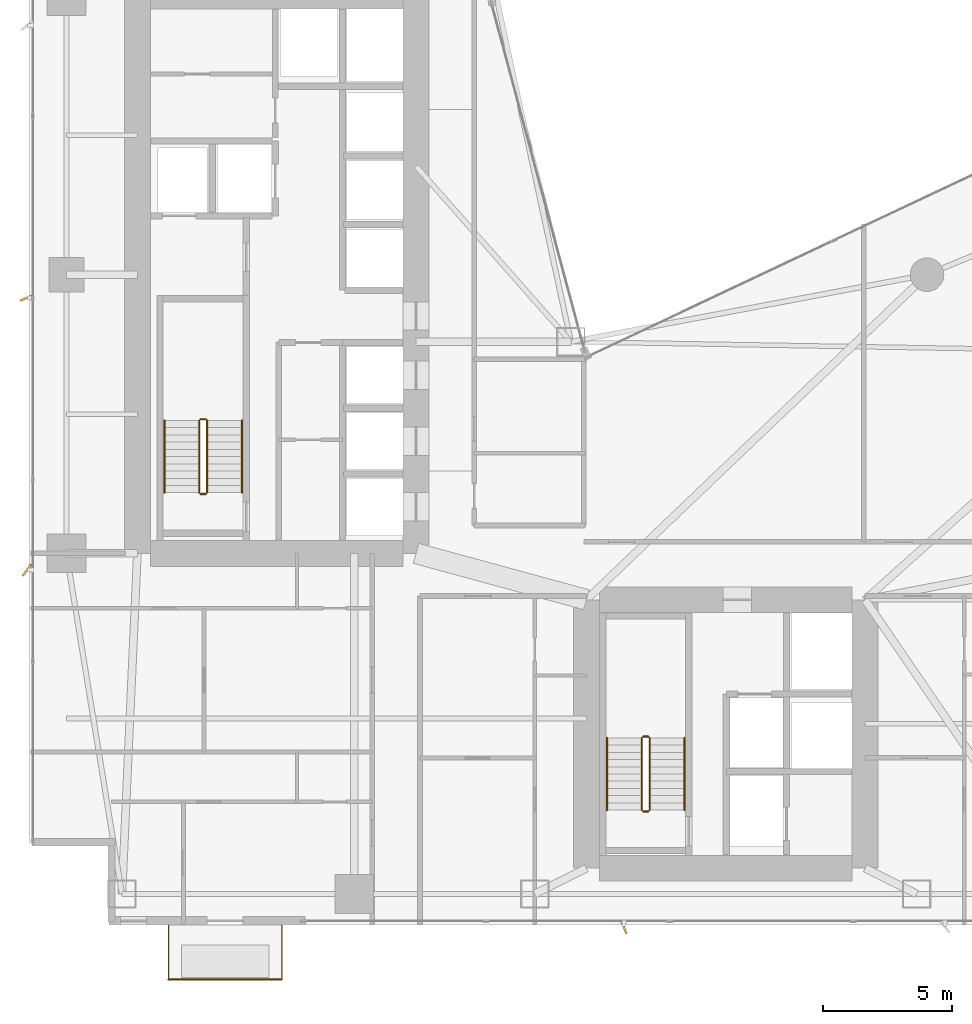
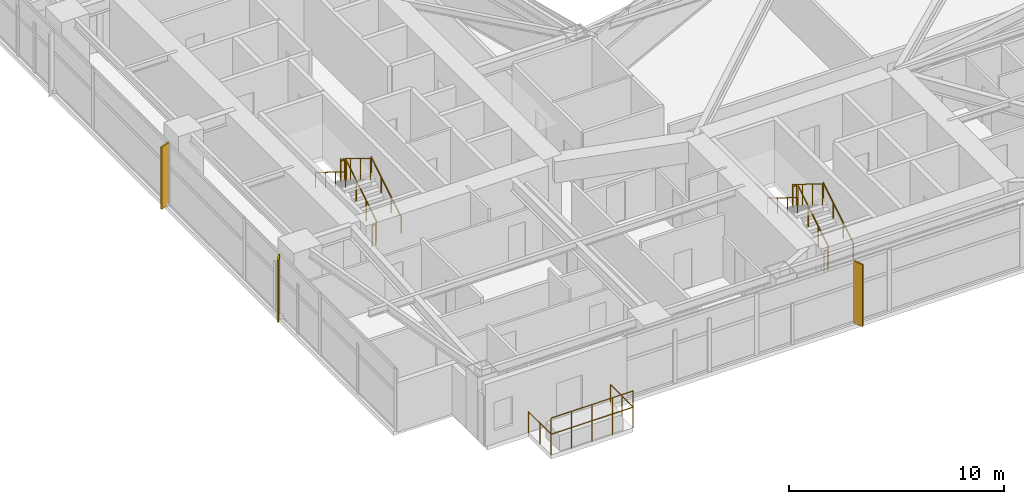
# One storey, part 27 of 28: 14 railings, 3 shading devices.
"""IFC4 building model written with IfcOpenShell, lengths in metres."""

from ifc_helpers import new_model, si_unit, direction, frame, origin, origin_2d, place, context, subcontext, project, spatial, rectangle, circle, extrude, material, type_object, element, save


model = new_model("IFC4")

# Units and contexts
model_context = context("Model", 3, precision=1e-05, world=origin(), true_north=direction((0.0, 1.0)))
body_context = subcontext(model_context, "Body", "Model", "MODEL_VIEW")
ifc_project = project(units=[si_unit("LENGTHUNIT", "METRE"), si_unit("AREAUNIT", "SQUARE_METRE"), si_unit("VOLUMEUNIT", "CUBIC_METRE"), si_unit("PLANEANGLEUNIT", "RADIAN"), si_unit("MASSUNIT", "GRAM", prefix="KILO")], contexts=[model_context])

# Site, building, storey
site_placement = place(None, origin())
site = spatial("IfcSite", under=ifc_project, at=site_placement, CompositionType="ELEMENT")
building_placement = place(site_placement, origin())
building = spatial("IfcBuilding", under=site, at=building_placement, Name="Calvorn Quay Hotel", CompositionType="ELEMENT")
storey_placement = place(building_placement, frame((0.0, 0.0, 88.800048828125)))
storey = spatial("IfcBuildingStorey", under=building, at=storey_placement, Name="L21", CompositionType="ELEMENT", Elevation=88.800048828125)

# Railings
ifc_material_1 = material(Name="Pale Anodised Aluminium and Laminated Glass", Category="aluminium")
railing_type_1 = type_object("IfcRailingType", Name="RLG-BALUSTRADE-1200", PredefinedType="BALUSTRADE", material=ifc_material_1)
railing_1_placement = place(storey_placement, frame((5.39990234375, 2.389892578125, 0.0)))
element("IfcRailing", 1, at=railing_1_placement, inside=storey, type_object=railing_type_1, Name="Tree Balcony Perimeter Balustrade L21-BALC-S", PredefinedType="BALUSTRADE", context=body_context, shape_type="SweptSolid", body=[
    extrude(circle(Radius=0.02392578125, at=origin_2d()), frame((0.0, 0.0, 1.17578125), z_axis=(0.0, -1.0, 0.0), x_axis=(1.0, 0.0, 0.0)), (0.0, 0.0, 1.0), 2.099853515625),
    extrude(circle(Radius=0.02392578125, at=origin_2d()), frame((0.0, -2.099853515625, 1.17578125), z_axis=(1.0, 0.0, 0.0), x_axis=(0.0, 1.0, 0.0)), (0.0, 0.0, 1.0), 4.400146484375),
    extrude(circle(Radius=0.02392578125, at=origin_2d()), frame((4.400146484375, -2.099853515625, 1.17578125), z_axis=(0.0, 1.0, 0.0), x_axis=(-1.0, 0.0, 0.0)), (0.0, 0.0, 1.0), 2.099853515625),
    extrude(circle(Radius=0.02099609375, at=origin_2d()), origin(), (0.0, 0.0, 1.0), 1.15185546875),
    extrude(circle(Radius=0.02099609375, at=origin_2d()), frame((0.0, -1.0498046875, 0.0)), (0.0, 0.0, 1.0), 1.15185546875),
    extrude(circle(Radius=0.02099609375, at=origin_2d()), frame((0.0, -2.099853515625, 0.0)), (0.0, 0.0, 1.0), 1.15185546875),
    extrude(circle(Radius=0.02099609375, at=origin_2d()), frame((1.10009765625, -2.099853515625, 0.0)), (0.0, 0.0, 1.0), 1.15185546875),
    extrude(circle(Radius=0.02099609375, at=origin_2d()), frame((2.2001953125, -2.099853515625, 0.0)), (0.0, 0.0, 1.0), 1.15185546875),
    extrude(circle(Radius=0.02099609375, at=origin_2d()), frame((3.300048828125, -2.099853515625, 0.0)), (0.0, 0.0, 1.0), 1.15185546875),
    extrude(circle(Radius=0.02099609375, at=origin_2d()), frame((4.400146484375, -2.099853515625, 0.0)), (0.0, 0.0, 1.0), 1.15185546875),
    extrude(circle(Radius=0.02099609375, at=origin_2d()), frame((4.400146484375, -1.0498046875, 0.0)), (0.0, 0.0, 1.0), 1.15185546875),
    extrude(circle(Radius=0.02099609375, at=origin_2d()), frame((4.400146484375, 0.0, 0.0)), (0.0, 0.0, 1.0), 1.15185546875),
])
railing_2_placement = place(storey_placement, frame((5.39990234375, 0.2900390625, 0.89990234375)))
element("IfcRailing", 2, at=railing_2_placement, inside=storey, type_object=railing_type_1, Name="Planter Kerb High Safety Screen L21-BALC-S", PredefinedType="BALUSTRADE", context=body_context, shape_type="SweptSolid", body=[
    extrude(circle(Radius=0.02392578125, at=origin_2d()), frame((0.0, 0.0, 1.19580078125), z_axis=(1.0, 0.0, 0.0), x_axis=(0.0, 1.0, 0.0)), (0.0, 0.0, 1.0), 4.400146484375),
    extrude(circle(Radius=0.02099609375, at=origin_2d()), origin(), (0.0, 0.0, 1.0), 1.171875),
    extrude(circle(Radius=0.02099609375, at=origin_2d()), frame((1.10009765625, 0.0, 0.0)), (0.0, 0.0, 1.0), 1.171875),
    extrude(circle(Radius=0.02099609375, at=origin_2d()), frame((2.2001953125, 0.0, 0.0)), (0.0, 0.0, 1.0), 1.171875),
    extrude(circle(Radius=0.02099609375, at=origin_2d()), frame((3.300048828125, 0.0, 0.0)), (0.0, 0.0, 1.0), 1.171875),
    extrude(circle(Radius=0.02099609375, at=origin_2d()), frame((4.400146484375, 0.0, 0.0)), (0.0, 0.0, 1.0), 1.171875),
])
ifc_material_2 = material(Name="Brushed Stainless Steel Handrail", Category="steel")
railing_type_2 = type_object("IfcRailingType", Name="RLG-HANDRAIL-900", PredefinedType="HANDRAIL", material=ifc_material_2)
railing_3_placement = place(storey_placement, frame((8.25, 19.14990234375, 0.172607421875)))
element("IfcRailing", 3, at=railing_3_placement, inside=storey, type_object=railing_type_2, Name="L21 ST-W stair handrail 1", PredefinedType="HANDRAIL", context=body_context, shape_type="SweptSolid", body=[
    extrude(circle(Radius=0.02392578125, at=origin_2d()), frame((0.0, 0.0, 0.8759765625), z_axis=(0.0, 0.851089632645, 0.525020415988), x_axis=(-1.0, 0.0, 0.0)), (0.0, 0.0, 1.0), 3.2900390625),
    extrude(circle(Radius=0.02099609375, at=origin_2d()), origin(), (0.0, 0.0, 1.0), 0.851806640625),
    extrude(circle(Radius=0.02099609375, at=origin_2d()), frame((0.0, 0.933349609375, 0.57568359375)), (0.0, 0.0, 1.0), 0.851806640625),
    extrude(circle(Radius=0.02099609375, at=origin_2d()), frame((0.0, 1.86669921875, 1.151611328125)), (0.0, 0.0, 1.0), 0.851806640625),
    extrude(circle(Radius=0.02099609375, at=origin_2d()), frame((0.0, 2.800048828125, 1.727294921875)), (0.0, 0.0, 1.0), 0.851806640625),
])
railing_4_placement = place(storey_placement, frame((5.25, 21.949951171875, 2.07275390625)))
element("IfcRailing", 4, at=railing_4_placement, inside=storey, type_object=railing_type_2, Name="L21 ST-W stair handrail 2", PredefinedType="HANDRAIL", context=body_context, shape_type="SweptSolid", body=[
    extrude(circle(Radius=0.02392578125, at=origin_2d()), frame((0.0, 0.0, 0.8759765625), z_axis=(0.0, -0.851089632645, 0.525020415988), x_axis=(1.0, 0.0, 0.0)), (0.0, 0.0, 1.0), 3.2900390625),
    extrude(circle(Radius=0.02099609375, at=origin_2d()), origin(), (0.0, 0.0, 1.0), 0.851806640625),
    extrude(circle(Radius=0.02099609375, at=origin_2d()), frame((0.0, -0.933349609375, 0.57568359375)), (0.0, 0.0, 1.0), 0.851806640625),
    extrude(circle(Radius=0.02099609375, at=origin_2d()), frame((0.0, -1.86669921875, 1.151611328125)), (0.0, 0.0, 1.0), 0.851806640625),
    extrude(circle(Radius=0.02099609375, at=origin_2d()), frame((0.0, -2.800048828125, 1.727294921875)), (0.0, 0.0, 1.0), 0.851806640625),
])
railing_5_placement = place(storey_placement, frame((25.39990234375, 6.85009765625, 0.172607421875)))
element("IfcRailing", 5, at=railing_5_placement, inside=storey, type_object=railing_type_2, Name="L21 ST-E stair handrail 1", PredefinedType="HANDRAIL", context=body_context, shape_type="SweptSolid", body=[
    extrude(circle(Radius=0.02392578125, at=origin_2d()), frame((0.0, 0.0, 0.8759765625), z_axis=(0.0, 0.851069175582, 0.525053576669), x_axis=(-1.0, 0.0, 0.0)), (0.0, 0.0, 1.0), 3.289794921875),
    extrude(circle(Radius=0.02099609375, at=origin_2d()), origin(), (0.0, 0.0, 1.0), 0.851806640625),
    extrude(circle(Radius=0.02099609375, at=origin_2d()), frame((0.0, 0.933349609375, 0.57568359375)), (0.0, 0.0, 1.0), 0.851806640625),
    extrude(circle(Radius=0.02099609375, at=origin_2d()), frame((0.0, 1.866455078125, 1.151611328125)), (0.0, 0.0, 1.0), 0.851806640625),
    extrude(circle(Radius=0.02099609375, at=origin_2d()), frame((0.0, 2.7998046875, 1.727294921875)), (0.0, 0.0, 1.0), 0.851806640625),
])
railing_6_placement = place(storey_placement, frame((22.39990234375, 9.64990234375, 2.07275390625)))
element("IfcRailing", 6, at=railing_6_placement, inside=storey, type_object=railing_type_2, Name="L21 ST-E stair handrail 2", PredefinedType="HANDRAIL", context=body_context, shape_type="SweptSolid", body=[
    extrude(circle(Radius=0.02392578125, at=origin_2d()), frame((0.0, 0.0, 0.8759765625), z_axis=(0.0, -0.851069175582, 0.525053576669), x_axis=(1.0, 0.0, 0.0)), (0.0, 0.0, 1.0), 3.289794921875),
    extrude(circle(Radius=0.02099609375, at=origin_2d()), origin(), (0.0, 0.0, 1.0), 0.851806640625),
    extrude(circle(Radius=0.02099609375, at=origin_2d()), frame((0.0, -0.933349609375, 0.57568359375)), (0.0, 0.0, 1.0), 0.851806640625),
    extrude(circle(Radius=0.02099609375, at=origin_2d()), frame((0.0, -1.866455078125, 1.151611328125)), (0.0, 0.0, 1.0), 0.851806640625),
    extrude(circle(Radius=0.02099609375, at=origin_2d()), frame((0.0, -2.7998046875, 1.727294921875)), (0.0, 0.0, 1.0), 0.851806640625),
])
ifc_material_3 = material(Name="Painted Galvanised Steel Balustrade", Category="steel")
railing_type_3 = type_object("IfcRailingType", Name="RLG-STAIR-GUARD-1120", PredefinedType="GUARDRAIL", material=ifc_material_3)
railing_7_placement = place(storey_placement, frame((6.89990234375, 19.14990234375, 0.172607421875)))
element("IfcRailing", 7, at=railing_7_placement, inside=storey, type_object=railing_type_3, Name="L21 ST-W stair guard 1", PredefinedType="GUARDRAIL", context=body_context, shape_type="SweptSolid", body=[
    extrude(circle(Radius=0.02392578125, at=origin_2d()), frame((0.0, 0.0, 1.17578125), z_axis=(0.0, 0.851089632645, 0.525020415988), x_axis=(-1.0, 0.0, 0.0)), (0.0, 0.0, 1.0), 3.2900390625),
    extrude(circle(Radius=0.02099609375, at=origin_2d()), origin(), (0.0, 0.0, 1.0), 1.15185546875),
    extrude(circle(Radius=0.02099609375, at=origin_2d()), frame((0.0, 0.933349609375, 0.57568359375)), (0.0, 0.0, 1.0), 1.15185546875),
    extrude(circle(Radius=0.02099609375, at=origin_2d()), frame((0.0, 1.86669921875, 1.151611328125)), (0.0, 0.0, 1.0), 1.15185546875),
    extrude(circle(Radius=0.02099609375, at=origin_2d()), frame((0.0, 2.800048828125, 1.727294921875)), (0.0, 0.0, 1.0), 1.15185546875),
])
railing_8_placement = place(storey_placement, frame((6.85009765625, 22.0, 1.89990234375)))
element("IfcRailing", 8, at=railing_8_placement, inside=storey, type_object=railing_type_3, Name="L21 ST-W stair guard 2", PredefinedType="GUARDRAIL", context=body_context, shape_type="SweptSolid", body=[
    extrude(circle(Radius=0.02392578125, at=origin_2d()), frame((0.0, 0.0, 1.17578125), z_axis=(-1.0, 0.0, 0.0), x_axis=(0.0, -1.0, 0.0)), (0.0, 0.0, 1.0), 0.2001953125),
    extrude(circle(Radius=0.02099609375, at=origin_2d()), origin(), (0.0, 0.0, 1.0), 1.15185546875),
    extrude(circle(Radius=0.02099609375, at=origin_2d()), frame((-0.2001953125, 0.0, 0.0)), (0.0, 0.0, 1.0), 1.15185546875),
])
railing_9_placement = place(storey_placement, frame((6.60009765625, 21.949951171875, 2.07275390625)))
element("IfcRailing", 9, at=railing_9_placement, inside=storey, type_object=railing_type_3, Name="L21 ST-W stair guard 3", PredefinedType="GUARDRAIL", context=body_context, shape_type="SweptSolid", body=[
    extrude(circle(Radius=0.02392578125, at=origin_2d()), frame((0.0, 0.0, 1.17578125), z_axis=(0.0, -0.851089632645, 0.525020415988), x_axis=(1.0, 0.0, 0.0)), (0.0, 0.0, 1.0), 3.2900390625),
    extrude(circle(Radius=0.02099609375, at=origin_2d()), origin(), (0.0, 0.0, 1.0), 1.15185546875),
    extrude(circle(Radius=0.02099609375, at=origin_2d()), frame((0.0, -0.933349609375, 0.57568359375)), (0.0, 0.0, 1.0), 1.15185546875),
    extrude(circle(Radius=0.02099609375, at=origin_2d()), frame((0.0, -1.86669921875, 1.151611328125)), (0.0, 0.0, 1.0), 1.15185546875),
    extrude(circle(Radius=0.02099609375, at=origin_2d()), frame((0.0, -2.800048828125, 1.727294921875)), (0.0, 0.0, 1.0), 1.15185546875),
])
railing_10_placement = place(storey_placement, frame((6.85009765625, 19.10009765625, 0.0)))
element("IfcRailing", 10, at=railing_10_placement, inside=storey, type_object=railing_type_3, Name="L21 ST-W stair guard 4", PredefinedType="GUARDRAIL", context=body_context, shape_type="SweptSolid", body=[
    extrude(circle(Radius=0.02392578125, at=origin_2d()), frame((0.0, 0.0, 1.17578125), z_axis=(-1.0, 0.0, 0.0), x_axis=(0.0, -1.0, 0.0)), (0.0, 0.0, 1.0), 0.2001953125),
    extrude(circle(Radius=0.02099609375, at=origin_2d()), origin(), (0.0, 0.0, 1.0), 1.15185546875),
    extrude(circle(Radius=0.02099609375, at=origin_2d()), frame((-0.2001953125, 0.0, 0.0)), (0.0, 0.0, 1.0), 1.15185546875),
])
railing_11_placement = place(storey_placement, frame((24.050048828125, 6.85009765625, 0.172607421875)))
element("IfcRailing", 11, at=railing_11_placement, inside=storey, type_object=railing_type_3, Name="L21 ST-E stair guard 1", PredefinedType="GUARDRAIL", context=body_context, shape_type="SweptSolid", body=[
    extrude(circle(Radius=0.02392578125, at=origin_2d()), frame((0.0, 0.0, 1.17578125), z_axis=(0.0, 0.851069175582, 0.525053576669), x_axis=(-1.0, 0.0, 0.0)), (0.0, 0.0, 1.0), 3.289794921875),
    extrude(circle(Radius=0.02099609375, at=origin_2d()), origin(), (0.0, 0.0, 1.0), 1.15185546875),
    extrude(circle(Radius=0.02099609375, at=origin_2d()), frame((0.0, 0.933349609375, 0.57568359375)), (0.0, 0.0, 1.0), 1.15185546875),
    extrude(circle(Radius=0.02099609375, at=origin_2d()), frame((0.0, 1.866455078125, 1.151611328125)), (0.0, 0.0, 1.0), 1.15185546875),
    extrude(circle(Radius=0.02099609375, at=origin_2d()), frame((0.0, 2.7998046875, 1.727294921875)), (0.0, 0.0, 1.0), 1.15185546875),
])
railing_12_placement = place(storey_placement, frame((24.0, 9.699951171875, 1.89990234375)))
element("IfcRailing", 12, at=railing_12_placement, inside=storey, type_object=railing_type_3, Name="L21 ST-E stair guard 2", PredefinedType="GUARDRAIL", context=body_context, shape_type="SweptSolid", body=[
    extrude(circle(Radius=0.02392578125, at=origin_2d()), frame((0.0, 0.0, 1.17578125), z_axis=(-1.0, 0.0, 0.0), x_axis=(0.0, -1.0, 0.0)), (0.0, 0.0, 1.0), 0.199951171875),
    extrude(circle(Radius=0.02099609375, at=origin_2d()), origin(), (0.0, 0.0, 1.0), 1.15185546875),
    extrude(circle(Radius=0.02099609375, at=origin_2d()), frame((-0.199951171875, 0.0, 0.0)), (0.0, 0.0, 1.0), 1.15185546875),
])
railing_13_placement = place(storey_placement, frame((23.75, 9.64990234375, 2.07275390625)))
element("IfcRailing", 13, at=railing_13_placement, inside=storey, type_object=railing_type_3, Name="L21 ST-E stair guard 3", PredefinedType="GUARDRAIL", context=body_context, shape_type="SweptSolid", body=[
    extrude(circle(Radius=0.02392578125, at=origin_2d()), frame((0.0, 0.0, 1.17578125), z_axis=(0.0, -0.851069175582, 0.525053576669), x_axis=(1.0, 0.0, 0.0)), (0.0, 0.0, 1.0), 3.289794921875),
    extrude(circle(Radius=0.02099609375, at=origin_2d()), origin(), (0.0, 0.0, 1.0), 1.15185546875),
    extrude(circle(Radius=0.02099609375, at=origin_2d()), frame((0.0, -0.933349609375, 0.57568359375)), (0.0, 0.0, 1.0), 1.15185546875),
    extrude(circle(Radius=0.02099609375, at=origin_2d()), frame((0.0, -1.866455078125, 1.151611328125)), (0.0, 0.0, 1.0), 1.15185546875),
    extrude(circle(Radius=0.02099609375, at=origin_2d()), frame((0.0, -2.7998046875, 1.727294921875)), (0.0, 0.0, 1.0), 1.15185546875),
])
railing_14_placement = place(storey_placement, frame((24.0, 6.800048828125, 0.0)))
element("IfcRailing", 14, at=railing_14_placement, inside=storey, type_object=railing_type_3, Name="L21 ST-E stair guard 4", PredefinedType="GUARDRAIL", context=body_context, shape_type="SweptSolid", body=[
    extrude(circle(Radius=0.02392578125, at=origin_2d()), frame((0.0, 0.0, 1.17578125), z_axis=(-1.0, 0.0, 0.0), x_axis=(0.0, -1.0, 0.0)), (0.0, 0.0, 1.0), 0.199951171875),
    extrude(circle(Radius=0.02099609375, at=origin_2d()), origin(), (0.0, 0.0, 1.0), 1.15185546875),
    extrude(circle(Radius=0.02099609375, at=origin_2d()), frame((-0.199951171875, 0.0, 0.0)), (0.0, 0.0, 1.0), 1.15185546875),
])

# Shading devices
ifc_material_4 = material(Name="Champagne Bronze Anodised Aluminium 6063-T6", Category="aluminium")
shading_device_type_1 = type_object("IfcShadingDeviceType", Name="SHD-FIN-A1", PredefinedType="USERDEFINED", material=ifc_material_4)
for number, where, z_axis, x_axis, name in (
    (15, (-0.080078125, 26.699951171875, 0.0), (0.0, 0.0, 1.0), (0.927183854567, 0.374606593416, 0.0), "Diagonal Sun-Shading Fin L21-W02"),
    (16, (23.050048828125, 2.320068359375, 0.0), (0.0, 0.0, 1.0), (-0.374606593416, 0.927183854567, 0.0), "Diagonal Sun-Shading Fin L21-S01"),
):
    element("IfcShadingDevice", number, at=place(storey_placement, frame(where, z_axis=z_axis, x_axis=x_axis)), inside=storey, type_object=shading_device_type_1, Name=name, ObjectType="FIN", PredefinedType="USERDEFINED", context=body_context, shape_type="SweptSolid", body=[
        extrude(rectangle(XDim=0.550048828125, YDim=0.080078125, at=origin_2d()), origin(), (0.0, 0.0, 1.0), 3.52001953125),
    ])
ifc_material_5 = material(Name="Champagne Bronze Anodised Aluminium 6063-T6", Category="aluminium")
shading_device_type_2 = type_object("IfcShadingDeviceType", Name="SHD-FIN-A3", PredefinedType="USERDEFINED", material=ifc_material_5)
shading_device_placement = place(storey_placement, frame((-0.080078125, 16.14990234375, 0.0), z_axis=(0.0, 0.0, 1.0), x_axis=(0.587785252292, 0.809016994375, 0.0)))
element("IfcShadingDevice", 17, at=shading_device_placement, inside=storey, type_object=shading_device_type_2, Name="Diagonal Sun-Shading Fin L21-W01", ObjectType="FIN", PredefinedType="USERDEFINED", context=body_context, shape_type="SweptSolid", body=[
    extrude(rectangle(XDim=0.550048828125, YDim=0.080078125, at=origin_2d()), origin(), (0.0, 0.0, 1.0), 3.52001953125),
])

save(model, "model.ifc")
